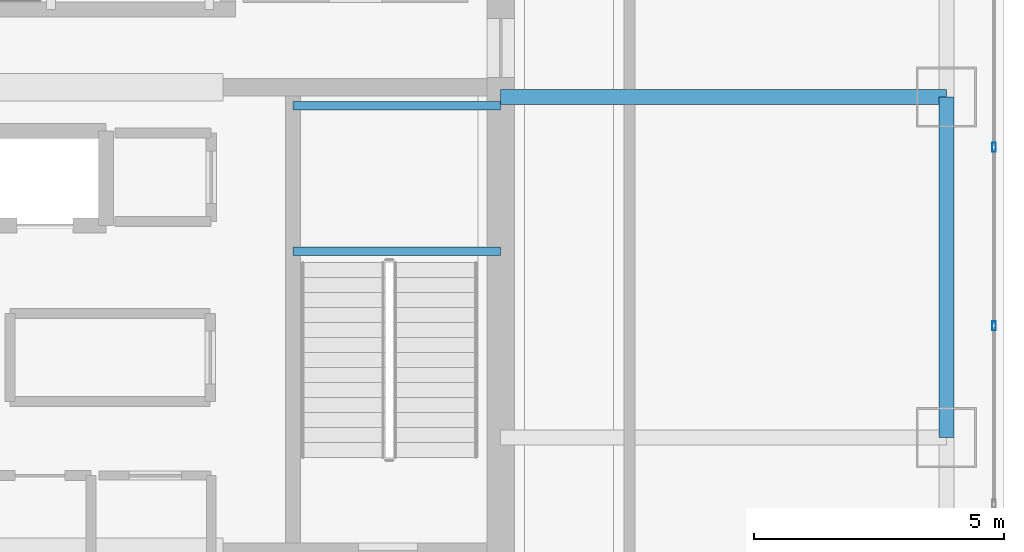
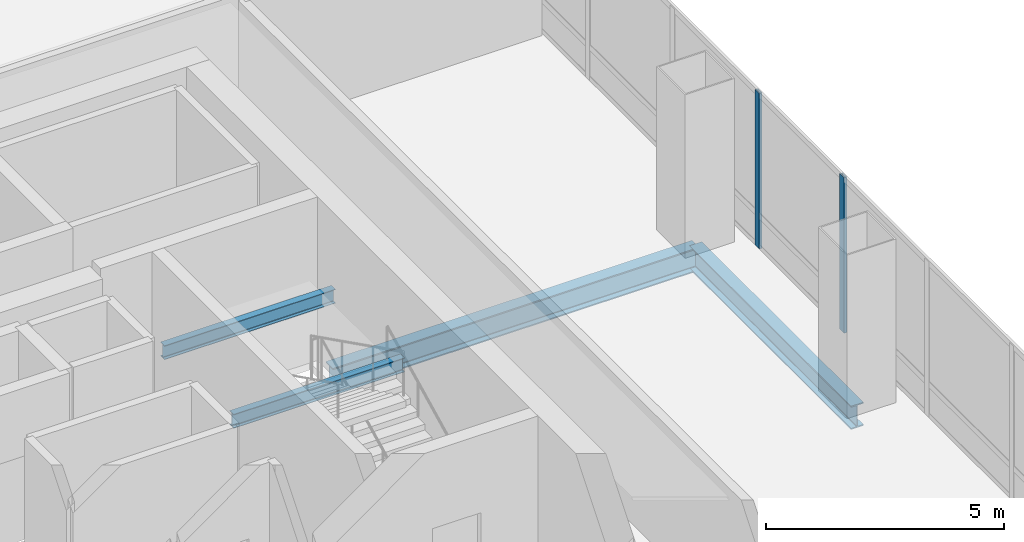
# One storey, part 18 of 42: 4 beams, 2 members, 1 element without a shape of its own.
"""IFC4 building model written with IfcOpenShell, lengths in metres."""

import ifcopenshell
import ifcopenshell.guid

model = None  # the IFC model being written
_history = None  # IfcOwnerHistory: only IFC2X3 demands one
_inside = {}  # id of a spatial element -> (the spatial element, [elements in it])
_under = {}  # id of a project, library or spatial element -> (it, [spatial elements below it])
_declared = {}  # id of a project -> (the project, [libraries it declares])
_typed = {}  # id of a type object -> (the type object, [elements of that type])
_made_of = {}  # id of a material, layer set ... -> (it, [elements and type objects made of it])


def new_model(schema):
    """Start an empty IFC model of exactly this schema.

    Asked for "IFC4X3", IfcOpenShell would pick the latest addendum, in which some entities
    have other attributes; the version numbers below select the first issue.
    IFC2X3 requires an IfcOwnerHistory on every rooted entity: one is made here for all.
    """
    global model, _history
    if schema == "IFC4X3":
        model = ifcopenshell.file(schema_version=(4, 3, 0, 0))
    else:
        model = ifcopenshell.file(schema=schema)
    _inside.clear()
    _under.clear()
    _declared.clear()
    _typed.clear()
    _made_of.clear()
    _history = None
    if model.schema == "IFC2X3":
        org = make("IfcOrganization", Name="unknown")
        user = make(
            "IfcPersonAndOrganization",
            ThePerson=make("IfcPerson", FamilyName="unknown"),
            TheOrganization=org,
        )
        app = make(
            "IfcApplication",
            ApplicationDeveloper=org,
            Version="unknown",
            ApplicationFullName="unknown",
            ApplicationIdentifier="unknown",
        )
        _history = make(
            "IfcOwnerHistory",
            OwningUser=user,
            OwningApplication=app,
            ChangeAction="ADDED",
            CreationDate=0,
        )
    return model


def make(cls, **values):
    """One entity of the class cls with the attributes given. An attribute that is None is left unset."""
    return model.create_entity(
        cls, **{name: value for name, value in values.items() if value is not None}
    )


def rooted(cls, **values):
    """An entity with a GlobalId (a new one), such as an element, a storey or a relation."""
    return make(cls, GlobalId=ifcopenshell.guid.new(), OwnerHistory=_history, **values)


def si_unit(unit_type, name, prefix=None):
    """IfcSIUnit, for example si_unit("LENGTHUNIT", "METRE", prefix="MILLI")."""
    return make("IfcSIUnit", UnitType=unit_type, Prefix=prefix, Name=name)


def assignment(units):
    """IfcUnitAssignment: the units of a project."""
    return None if units is None else make("IfcUnitAssignment", Units=units)


def point(xyz):
    """IfcCartesianPoint."""
    return None if xyz is None else make("IfcCartesianPoint", Coordinates=xyz)


def direction(xyz):
    """IfcDirection."""
    return None if xyz is None else make("IfcDirection", DirectionRatios=xyz)


def frame(location, z_axis=None, x_axis=None):
    """IfcAxis2Placement3D, a coordinate frame: its origin and axes. An axis left out is left unset."""
    return make(
        "IfcAxis2Placement3D",
        Location=point(location),
        Axis=direction(z_axis),
        RefDirection=direction(x_axis),
    )


def frame_2d(location, x_axis=None):
    """IfcAxis2Placement2D, a coordinate frame in the plane: its origin and x axis."""
    return make(
        "IfcAxis2Placement2D", Location=point(location), RefDirection=direction(x_axis)
    )


def origin():
    """The frame at (0, 0, 0) with its axes left unset."""
    return frame((0.0, 0.0, 0.0))


def origin_2d():
    """The frame at (0, 0) in the plane with its x axis left unset."""
    return frame_2d((0.0, 0.0))


def place(relative_to, where):
    """IfcLocalPlacement: puts the frame where relative to a parent placement (None: the world)."""
    return make(
        "IfcLocalPlacement", PlacementRelTo=relative_to, RelativePlacement=where
    )


def context(
    kind, dimensions, precision=None, world=None, true_north=None, identifier=None
):
    """IfcGeometricRepresentationContext, for example the 3D "Model" context."""
    return make(
        "IfcGeometricRepresentationContext",
        ContextIdentifier=identifier,
        ContextType=kind,
        CoordinateSpaceDimension=dimensions,
        Precision=precision,
        WorldCoordinateSystem=world,
        TrueNorth=true_north,
    )


def subcontext(parent, identifier, kind, view, scale=None):
    """IfcGeometricRepresentationSubContext, for example "Body" below "Model"."""
    return make(
        "IfcGeometricRepresentationSubContext",
        ContextIdentifier=identifier,
        ContextType=kind,
        ParentContext=parent,
        TargetScale=scale,
        TargetView=view,
    )


def project(units=None, contexts=None):
    """IfcProject with its units and contexts."""
    return rooted(
        "IfcProject",
        Name="project",
        RepresentationContexts=contexts,
        UnitsInContext=assignment(units),
    )


def spatial(cls, under=None, at=None, **own):
    """A site, building, storey or space (cls), placed at a placement, below another one or the project."""
    s = rooted(cls, ObjectPlacement=at, **own)
    if under is not None:
        _under.setdefault(under.id(), (under, []))[1].append(s)
    return s


def profile(cls, at=None, kind="AREA", **sizes):
    """A parametric profile (cls). Its sizes go by their IFC names, for example OverallWidth=200.0."""
    return make(cls, ProfileType=kind, Position=at, **sizes)


def hollow_rectangle(**sizes):
    """IfcRectangleHollowProfileDef."""
    return profile("IfcRectangleHollowProfileDef", **sizes)


def i_section(**sizes):
    """IfcIShapeProfileDef."""
    return profile("IfcIShapeProfileDef", **sizes)


def extrude(swept, where, along, depth):
    """IfcExtrudedAreaSolid: the profile swept, set in the frame where, extruded along a direction by depth."""
    return make(
        "IfcExtrudedAreaSolid",
        SweptArea=swept,
        Position=where,
        ExtrudedDirection=direction(along),
        Depth=depth,
    )


def shape(context_of_items, identifier, shape_type, items):
    """IfcShapeRepresentation: the items that make up one representation, for example the "Body"."""
    return make(
        "IfcShapeRepresentation",
        ContextOfItems=context_of_items,
        RepresentationIdentifier=identifier,
        RepresentationType=shape_type,
        Items=items,
    )


def material(Name=None, Category=None):
    """IfcMaterial."""
    return make("IfcMaterial", Name=Name, Category=Category)


def material_profile(
    of_material, cross_section, Name=None, Category=None, Priority=None
):
    """IfcMaterialProfile: a cross section and its material."""
    return make(
        "IfcMaterialProfile",
        Name=Name,
        Material=of_material,
        Profile=cross_section,
        Priority=Priority,
        Category=Category,
    )


def profile_set(profiles, Name=None, composite=None):
    """IfcMaterialProfileSet."""
    return make(
        "IfcMaterialProfileSet",
        Name=Name,
        MaterialProfiles=profiles,
        CompositeProfile=composite,
    )


def made_of(thing, what):
    """Note that an element or type object is made of a material, layer set ...; save() writes the relation."""
    if what is not None:
        _made_of.setdefault(what.id(), (what, []))[1].append(thing)
    return thing


def type_object(cls, material=None, **own):
    """A type object (cls), such as IfcWallType, which elements share."""
    return made_of(rooted(cls, **own), material)


def element(
    cls,
    number,
    at=None,
    inside=None,
    cuts=None,
    type_object=None,
    material=None,
    context=None,
    identifier="Body",
    shape_type=None,
    held_by="IfcProductDefinitionShape",
    body=None,
    shapes=None,
    **own,
):
    """One element of the class cls, such as IfcWall. Its Tag is "e" and its number.

    at: its placement. inside: the storey or other place that contains it. cuts: it is an
    opening in that element (IfcRelVoidsElement). A single representation is given by context,
    identifier, shape_type and body (its items); several are given by shapes. held_by: the class
    of the entity that holds the representations. save() writes the other relations.
    """
    e = rooted(cls, Tag="e%d" % number, ObjectPlacement=at, **own)
    if body is not None:
        shapes = [shape(context, identifier, shape_type, body)]
    if shapes is not None:
        e.Representation = make(held_by, Representations=shapes)
    if inside is not None:
        _inside.setdefault(inside.id(), (inside, []))[1].append(e)
    if cuts is not None:
        rooted(
            "IfcRelVoidsElement", RelatingBuildingElement=cuts, RelatedOpeningElement=e
        )
    if type_object is not None:
        _typed.setdefault(type_object.id(), (type_object, []))[1].append(e)
    return made_of(e, material)


def aggregate(whole, parts):
    """IfcRelAggregates: a whole, such as a stair, and the parts it consists of."""
    return rooted("IfcRelAggregates", RelatingObject=whole, RelatedObjects=parts)


def save(model, path):
    """Write the relations noted so far, then the file.

    IfcRelAggregates (storeys below a building ...), IfcRelContainedInSpatialStructure (elements
    in a storey), IfcRelDefinesByType, IfcRelAssociatesMaterial and IfcRelDeclares: one each for
    every whole, place, type object, material and project.
    """
    for whole, parts in _under.values():
        aggregate(whole, parts)
    for where, things in _inside.values():
        rooted(
            "IfcRelContainedInSpatialStructure",
            RelatedElements=things,
            RelatingStructure=where,
        )
    for kind, things in _typed.values():
        rooted("IfcRelDefinesByType", RelatedObjects=things, RelatingType=kind)
    for what, things in _made_of.values():
        rooted("IfcRelAssociatesMaterial", RelatedObjects=things, RelatingMaterial=what)
    for by, libraries in _declared.values():
        rooted("IfcRelDeclares", RelatingContext=by, RelatedDefinitions=libraries)
    model.write(path)


model = new_model("IFC4")

# Units and contexts
model_context = context("Model", 3, precision=1e-05, world=origin(), true_north=direction((0.0, 1.0)))
body_context = subcontext(model_context, "Body", "Model", "MODEL_VIEW")
ifc_project = project(units=[si_unit("LENGTHUNIT", "METRE"), si_unit("AREAUNIT", "SQUARE_METRE"), si_unit("VOLUMEUNIT", "CUBIC_METRE"), si_unit("PLANEANGLEUNIT", "RADIAN"), si_unit("MASSUNIT", "GRAM", prefix="KILO")], contexts=[model_context])

# Site, building, storey
site_placement = place(None, origin())
site = spatial("IfcSite", under=ifc_project, at=site_placement, CompositionType="ELEMENT")
building_placement = place(site_placement, origin())
building = spatial("IfcBuilding", under=site, at=building_placement, Name="Punatoya Terracotta Tower", CompositionType="ELEMENT")
storey_placement = place(building_placement, frame((0.0, 0.0, 296.39990234375)))
storey = spatial("IfcBuildingStorey", under=building, at=storey_placement, Name="L70", CompositionType="ELEMENT", Elevation=296.39990234375)

# Beams
ifc_material_1 = material(Name="Steel S355", Category="steel")
ifc_material_profile_1 = material_profile(ifc_material_1, i_section(OverallWidth=0.300048828125, OverallDepth=0.60009765625, WebThickness=0.015380859375, FlangeThickness=0.030029296875, FilletRadius=0.01806640625, at=origin_2d()))
ifc_profile_set_1 = profile_set([ifc_material_profile_1], Name="Steel S355")
beam_type_1 = type_object("IfcBeamType", Name="BM-PRI-600", PredefinedType="BEAM", material=ifc_profile_set_1)
beam_1_placement = place(storey_placement, frame((19.10009765625, -3.39990234375, -0.5), z_axis=(0.0, 1.0, 0.0), x_axis=(-1.0, 0.0, 0.0)))
element("IfcBeam", 1, at=beam_1_placement, inside=storey, type_object=beam_type_1, Name="BM-L70-RG-E2", PredefinedType="BEAM", context=body_context, shape_type="SweptSolid", body=[
    extrude(i_section(OverallWidth=0.300048828125, OverallDepth=0.60009765625, WebThickness=0.015380859375, FlangeThickness=0.030029296875, FilletRadius=0.01806640625, at=origin_2d()), origin(), (0.0, 0.0, 1.0), 6.7998046875),
])
beam_2_placement = place(storey_placement, frame((10.199951171875, 3.39990234375, -0.5), z_axis=(1.0, 0.0, 0.0), x_axis=(0.0, 1.0, 0.0)))
element("IfcBeam", 2, at=beam_2_placement, inside=storey, type_object=beam_type_1, Name="BM-L70-PR-EE", PredefinedType="BEAM", context=body_context, shape_type="SweptSolid", body=[
    extrude(i_section(OverallWidth=0.300048828125, OverallDepth=0.60009765625, WebThickness=0.015380859375, FlangeThickness=0.030029296875, FilletRadius=0.01806640625, at=origin_2d()), origin(), (0.0, 0.0, 1.0), 8.900146484375),
])
ifc_material_profile_2 = material_profile(ifc_material_1, i_section(OverallWidth=0.169921875, OverallDepth=0.360107421875, WebThickness=0.008056640625, FlangeThickness=0.0126953125, FilletRadius=0.01806640625, at=origin_2d()))
ifc_profile_set_2 = profile_set([ifc_material_profile_2], Name="Steel S355")
beam_type_2 = type_object("IfcBeamType", Name="BM-SEC-360", PredefinedType="JOIST", material=ifc_profile_set_2)
for number, where, z_axis, x_axis, name in (
    (3, (6.050048828125, 0.320068359375, 1.72021484375), (1.0, 0.0, 0.0), (0.0, 1.0, 0.0), "BM-L70-ST-2-LD1A"),
    (4, (6.050048828125, 3.22998046875, 1.72021484375), (1.0, 0.0, 0.0), (0.0, 1.0, 0.0), "BM-L70-ST-2-LD1B"),
):
    element("IfcBeam", number, at=place(storey_placement, frame(where, z_axis=z_axis, x_axis=x_axis)), inside=storey, type_object=beam_type_2, Name=name, PredefinedType="JOIST", context=body_context, shape_type="SweptSolid", body=[
        extrude(i_section(OverallWidth=0.169921875, OverallDepth=0.360107421875, WebThickness=0.008056640625, FlangeThickness=0.0126953125, FilletRadius=0.01806640625, at=origin_2d()), origin(), (0.0, 0.0, 1.0), 4.14990234375),
    ])

# Curtain wall, members
ifc_material_2 = material(Name="Aluminium 6063-T6 + Double Low-E Glass", Category="aluminium")
curtain_wall_type = type_object("IfcCurtainWallType", Name="CW-M3", PredefinedType="NOTDEFINED", material=ifc_material_2)
curtain_wall_placement = place(storey_placement, origin())
curtain_wall = element("IfcCurtainWall", 5, at=curtain_wall_placement, inside=storey, type_object=curtain_wall_type, Name="L70 Curtain Wall CW-L70-E05-1", PredefinedType="NOTDEFINED")
ifc_material_3 = material(Name="Aluminium 6063-T6", Category="aluminium")
ifc_material_profile_3 = material_profile(ifc_material_3, hollow_rectangle(XDim=0.070068359375, YDim=0.179931640625, WallThickness=0.00390625, at=origin_2d()))
ifc_profile_set_3 = profile_set([ifc_material_profile_3], Name="Aluminium 6063-T6")
member_type = type_object("IfcMemberType", Name="CW-MUL-M3", PredefinedType="MULLION", material=ifc_profile_set_3)
member_1_placement = place(storey_placement, frame((20.050048828125, -1.16748046875, 0.0), z_axis=(0.0, 0.0, 1.0), x_axis=(1.0, 0.0, 0.0)))
member_1 = element("IfcMember", 6, at=member_1_placement, type_object=member_type, Name="CW-L70-E05-1 Mullion 04", PredefinedType="MULLION", context=body_context, shape_type="SweptSolid", body=[
    extrude(hollow_rectangle(XDim=0.070068359375, YDim=0.179931640625, WallThickness=0.00390625, at=origin_2d()), origin(), (0.0, 0.0, 1.0), 4.0),
])
member_2_placement = place(storey_placement, frame((20.050048828125, 2.39990234375, 0.0), z_axis=(0.0, 0.0, 1.0), x_axis=(1.0, 0.0, 0.0)))
member_2 = element("IfcMember", 7, at=member_2_placement, type_object=member_type, Name="CW-L70-E05-1 Mullion 05", PredefinedType="MULLION", context=body_context, shape_type="SweptSolid", body=[
    extrude(hollow_rectangle(XDim=0.070068359375, YDim=0.179931640625, WallThickness=0.00390625, at=origin_2d()), origin(), (0.0, 0.0, 1.0), 4.0),
])
aggregate(curtain_wall, [member_1, member_2])

save(model, "model.ifc")
